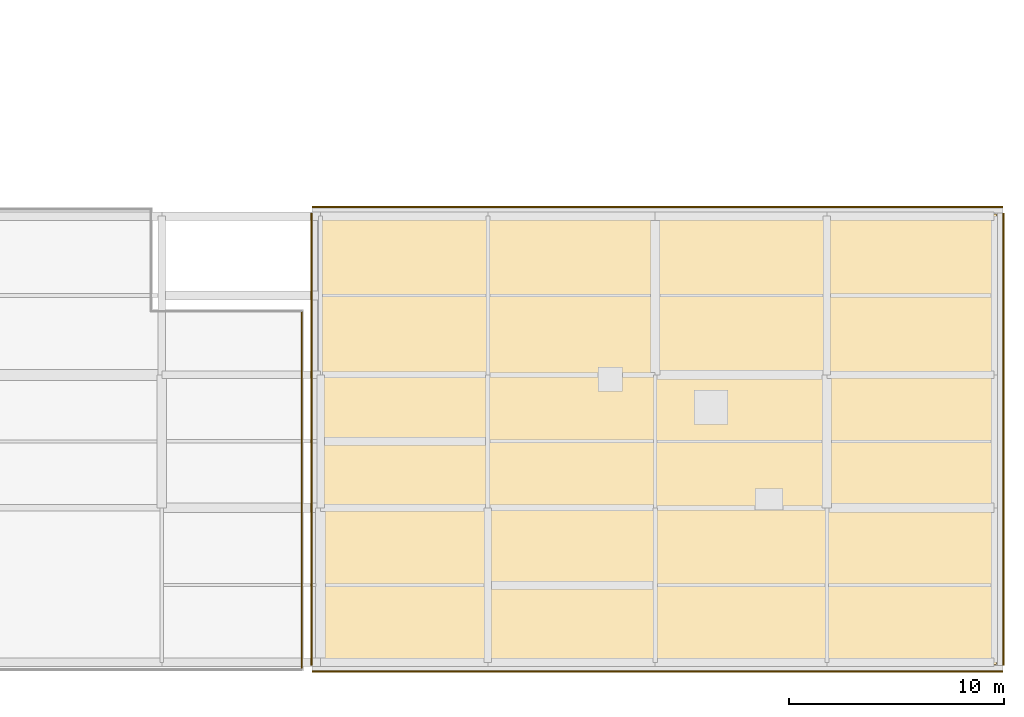
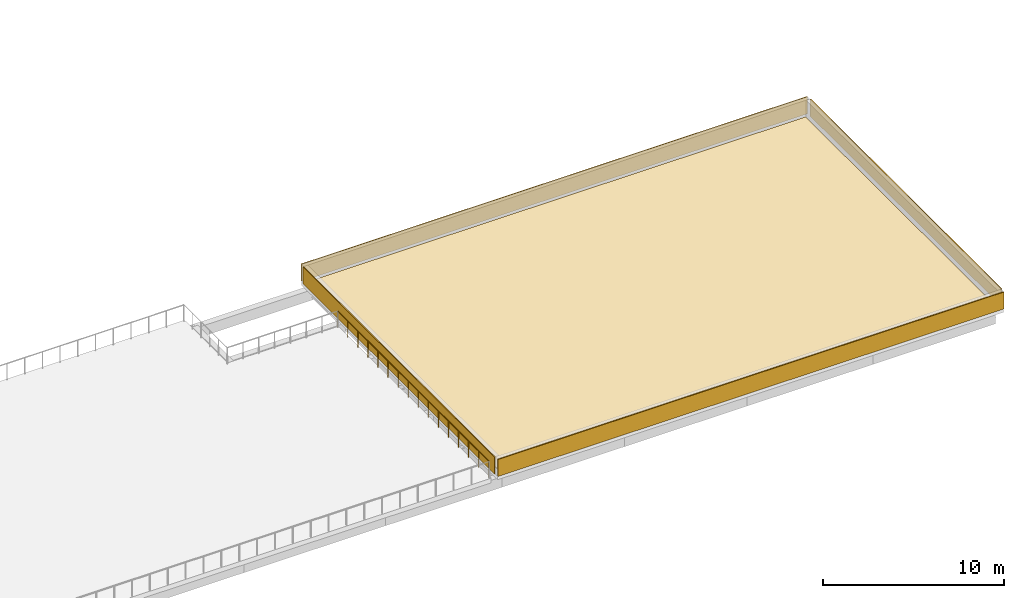
# One storey, part 161 of 165: 5 coverings, 1 railing.
"""IFC4 building model written with IfcOpenShell, lengths in metres."""

from ifc_helpers import new_model, si_unit, direction, frame, origin, origin_2d, place, context, subcontext, project, spatial, polyline, rectangle, circle, outline, extrude, material, layer, layer_set, type_object, element, save


model = new_model("IFC4")

# Units and contexts
model_context = context("Model", 3, precision=1e-05, world=origin(), true_north=direction((0.0, 1.0)))
body_context = subcontext(model_context, "Body", "Model", "MODEL_VIEW")
ifc_project = project(units=[si_unit("LENGTHUNIT", "METRE"), si_unit("AREAUNIT", "SQUARE_METRE"), si_unit("VOLUMEUNIT", "CUBIC_METRE"), si_unit("PLANEANGLEUNIT", "RADIAN"), si_unit("MASSUNIT", "GRAM", prefix="KILO")], contexts=[model_context])

# Site, building, storey
site_placement = place(None, origin())
site = spatial("IfcSite", under=ifc_project, at=site_placement, CompositionType="ELEMENT")
building_placement = place(site_placement, origin())
building = spatial("IfcBuilding", under=site, at=building_placement, Name="Qalavern Law Courts", CompositionType="ELEMENT")
storey_placement = place(building_placement, frame((0.0, 0.0, 14.39990234375)))
storey = spatial("IfcBuildingStorey", under=building, at=storey_placement, Name="L03", CompositionType="ELEMENT", Elevation=14.39990234375)

# Railing
ifc_material_1 = material(Name="Steel S355", Category="steel")
railing_type = type_object("IfcRailingType", Name="ENV-BAL-1120", PredefinedType="BALUSTRADE", material=ifc_material_1)
railing_placement = place(storey_placement, frame((133.320068359375, 17.77001953125, 0.0)))
element("IfcRailing", 1, at=railing_placement, inside=storey, type_object=railing_type, Name="V6 outdoor terrace safety guard L03-7", PredefinedType="BALUSTRADE", context=body_context, shape_type="SweptSolid", body=[
    extrude(circle(Radius=0.02392578125, at=origin_2d()), frame((0.0, 0.0, 1.09619140625), z_axis=(0.0, -1.0, 0.0), x_axis=(1.0, 0.0, 0.0)), (0.0, 0.0, 1.0), 16.630126953125),
    extrude(circle(Radius=0.02099609375, at=origin_2d()), origin(), (0.0, 0.0, 1.0), 1.072021484375),
    extrude(circle(Radius=0.02099609375, at=origin_2d()), frame((0.0, -1.108642578125, 0.0)), (0.0, 0.0, 1.0), 1.072021484375),
    extrude(circle(Radius=0.02099609375, at=origin_2d()), frame((0.0, -2.21728515625, 0.0)), (0.0, 0.0, 1.0), 1.072021484375),
    extrude(circle(Radius=0.02099609375, at=origin_2d()), frame((0.0, -3.325927734375, 0.0)), (0.0, 0.0, 1.0), 1.072021484375),
    extrude(circle(Radius=0.02099609375, at=origin_2d()), frame((0.0, -4.434814453125, 0.0)), (0.0, 0.0, 1.0), 1.072021484375),
    extrude(circle(Radius=0.02099609375, at=origin_2d()), frame((0.0, -5.54345703125, 0.0)), (0.0, 0.0, 1.0), 1.072021484375),
    extrude(circle(Radius=0.02099609375, at=origin_2d()), frame((0.0, -6.652099609375, 0.0)), (0.0, 0.0, 1.0), 1.072021484375),
    extrude(circle(Radius=0.02099609375, at=origin_2d()), frame((0.0, -7.7607421875, 0.0)), (0.0, 0.0, 1.0), 1.072021484375),
    extrude(circle(Radius=0.02099609375, at=origin_2d()), frame((0.0, -8.869384765625, 0.0)), (0.0, 0.0, 1.0), 1.072021484375),
    extrude(circle(Radius=0.02099609375, at=origin_2d()), frame((0.0, -9.97802734375, 0.0)), (0.0, 0.0, 1.0), 1.072021484375),
    extrude(circle(Radius=0.02099609375, at=origin_2d()), frame((0.0, -11.086669921875, 0.0)), (0.0, 0.0, 1.0), 1.072021484375),
    extrude(circle(Radius=0.02099609375, at=origin_2d()), frame((0.0, -12.1953125, 0.0)), (0.0, 0.0, 1.0), 1.072021484375),
    extrude(circle(Radius=0.02099609375, at=origin_2d()), frame((0.0, -13.30419921875, 0.0)), (0.0, 0.0, 1.0), 1.072021484375),
    extrude(circle(Radius=0.02099609375, at=origin_2d()), frame((0.0, -14.412841796875, 0.0)), (0.0, 0.0, 1.0), 1.072021484375),
    extrude(circle(Radius=0.02099609375, at=origin_2d()), frame((0.0, -15.521484375, 0.0)), (0.0, 0.0, 1.0), 1.072021484375),
    extrude(circle(Radius=0.02099609375, at=origin_2d()), frame((0.0, -16.630126953125, 0.0)), (0.0, 0.0, 1.0), 1.072021484375),
])

# Coverings
ifc_material_2 = material(Name="Precast concrete C40/50", Category="concrete")
ifc_layer_1 = layer(ifc_material_2, 0.06005859375)
ifc_layer_set_1 = layer_set([ifc_layer_1], Name="Precast concrete C40/50")
covering_type_1 = type_object("IfcCoveringType", Name="ENV-CLD-1", PredefinedType="CLADDING", material=ifc_layer_set_1)
covering_1_placement = place(storey_placement, frame((149.89990234375, 0.972900390625, 0.00537109375), z_axis=(0.0, 0.0, 1.0), x_axis=(1.0, 0.0, 0.0)))
element("IfcCovering", 2, at=covering_1_placement, inside=storey, type_object=covering_type_1, Name="V6 Absheron limestone parapet coping L03 S", PredefinedType="CLADDING", context=body_context, shape_type="SweptSolid", body=[
    extrude(rectangle(XDim=32.179931640625, YDim=0.06005859375, at=origin_2d()), origin(), (0.0, 0.0, 1.0), 1.139892578125),
])
covering_2_placement = place(storey_placement, frame((166.027099609375, 11.800048828125, 0.00537109375), z_axis=(0.0, 0.0, 1.0), x_axis=(0.0, 1.0, 0.0)))
element("IfcCovering", 3, at=covering_2_placement, inside=storey, type_object=covering_type_1, Name="V6 Absheron limestone parapet coping L03 E", PredefinedType="CLADDING", context=body_context, shape_type="SweptSolid", body=[
    extrude(rectangle(XDim=21.080078125, YDim=0.06005859375, at=origin_2d()), origin(), (0.0, 0.0, 1.0), 1.139892578125),
])
covering_3_placement = place(storey_placement, frame((149.89990234375, 22.626953125, 0.00537109375), z_axis=(0.0, 0.0, 1.0), x_axis=(-1.0, 0.0, 0.0)))
element("IfcCovering", 4, at=covering_3_placement, inside=storey, type_object=covering_type_1, Name="V6 Absheron limestone parapet coping L03 N", PredefinedType="CLADDING", context=body_context, shape_type="SweptSolid", body=[
    extrude(rectangle(XDim=32.179931640625, YDim=0.06005859375, at=origin_2d()), origin(), (0.0, 0.0, 1.0), 1.139892578125),
])
covering_4_placement = place(storey_placement, frame((133.77294921875, 11.800048828125, 0.00537109375), z_axis=(0.0, 0.0, 1.0), x_axis=(0.0, -1.0, 0.0)))
element("IfcCovering", 5, at=covering_4_placement, inside=storey, type_object=covering_type_1, Name="V6 Absheron limestone parapet coping L03 W", PredefinedType="CLADDING", context=body_context, shape_type="SweptSolid", body=[
    extrude(rectangle(XDim=21.080078125, YDim=0.06005859375, at=origin_2d()), origin(), (0.0, 0.0, 1.0), 1.139892578125),
])
ifc_material_3 = material(Name="EPDM waterproofing membrane and rigid thermal insulation")
ifc_layer_2 = layer(ifc_material_3, 0.074951171875)
ifc_layer_set_2 = layer_set([ifc_layer_2], Name="EPDM waterproofing membrane and rigid thermal insulation")
covering_type_2 = type_object("IfcCoveringType", Name="ENV-RFG-1", PredefinedType="ROOFING", material=ifc_layer_set_2)
covering_5_placement = place(storey_placement, origin())
element("IfcCovering", 6, at=covering_5_placement, inside=storey, type_object=covering_type_2, Name="V6 roof waterproofing and insulation L03", PredefinedType="ROOFING", context=body_context, shape_type="SweptSolid", body=[
    extrude(outline(polyline([(134.10009765625, 1.300048828125), (165.699951171875, 1.300048828125), (165.699951171875, 22.300048828125), (134.10009765625, 22.300048828125), (134.10009765625, 1.300048828125)])), origin(), (0.0, 0.0, 1.0), 0.0751953125),
])

save(model, "model.ifc")
